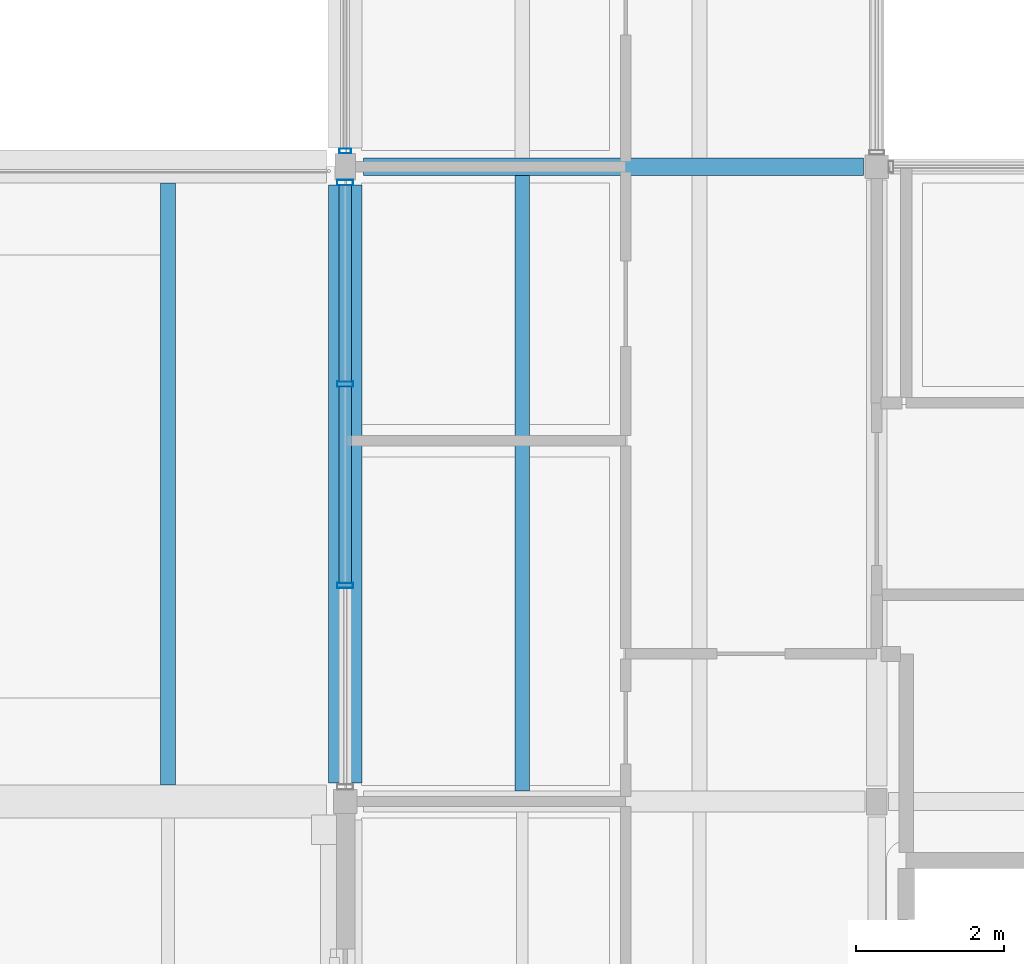
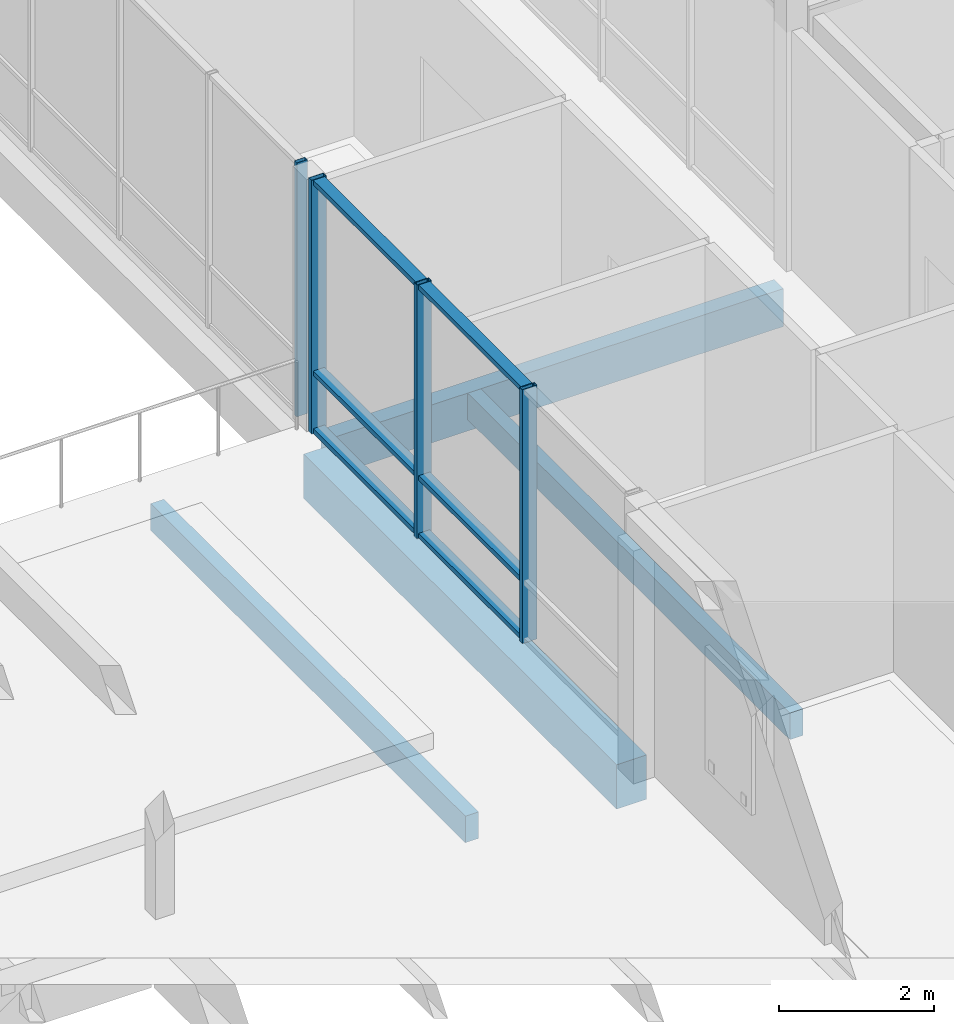
# One storey, part 50 of 115: 10 members, 4 beams, 2 elements without a shape of their own.
"""IFC4 building model written with IfcOpenShell, lengths in metres."""

from ifc_helpers import new_model, si_unit, direction, frame, origin, origin_2d, place, context, subcontext, project, spatial, rectangle, hollow_rectangle, extrude, material, material_profile, profile_set, type_object, element, aggregate, save


model = new_model("IFC4")

# Units and contexts
model_context = context("Model", 3, precision=1e-05, world=origin(), true_north=direction((0.0, 1.0)))
body_context = subcontext(model_context, "Body", "Model", "MODEL_VIEW")
ifc_project = project(units=[si_unit("LENGTHUNIT", "METRE"), si_unit("AREAUNIT", "SQUARE_METRE"), si_unit("VOLUMEUNIT", "CUBIC_METRE"), si_unit("PLANEANGLEUNIT", "RADIAN"), si_unit("MASSUNIT", "GRAM", prefix="KILO")], contexts=[model_context])

# Site, building, storey
site_placement = place(None, origin())
site = spatial("IfcSite", under=ifc_project, at=site_placement, CompositionType="ELEMENT")
building_placement = place(site_placement, origin())
building = spatial("IfcBuilding", under=site, at=building_placement, Name="Hawrajan Terrace Health Centre", CompositionType="ELEMENT")
storey_placement = place(building_placement, frame((0.0, 0.0, 9.0)))
storey = spatial("IfcBuildingStorey", under=building, at=storey_placement, Name="L02", CompositionType="ELEMENT", Elevation=9.0)

# Curtain wall, member
ifc_material_1 = material(Name="Anodized bronze aluminium and low-E solar glazing", Category="aluminium")
curtain_wall_type_1 = type_object("IfcCurtainWallType", Name="CW_Court_SeriesA3", PredefinedType="USERDEFINED", material=ifc_material_1)
curtain_wall_1_placement = place(storey_placement, origin())
curtain_wall_1 = element("IfcCurtainWall", 1, at=curtain_wall_1_placement, inside=storey, type_object=curtain_wall_type_1, Name="Curtain wall CW-L02-147", ObjectType="UNITISED CURTAIN WALL", PredefinedType="USERDEFINED")
ifc_material_2 = material(Name="Anodized bronze aluminium 6063-T6", Category="aluminium")
ifc_material_profile_1 = material_profile(ifc_material_2, hollow_rectangle(XDim=0.06494140625, YDim=0.159912109375, WallThickness=0.00390625, at=origin_2d()), Name="CW MUL 65x160")
ifc_profile_set_1 = profile_set([ifc_material_profile_1], Name="Anodized bronze aluminium 6063-T6")
member_type_1 = type_object("IfcMemberType", Name="CWMullion_65x160", PredefinedType="MULLION", material=ifc_profile_set_1)
member_1_placement = place(storey_placement, frame((143.800048828125, 27.41259765625, -0.0048828125), z_axis=(0.0, 0.0, 1.0), x_axis=(0.0, 1.0, 0.0)))
member_1 = element("IfcMember", 2, at=member_1_placement, type_object=member_type_1, Name="Mullion CW-L02-147-M1", PredefinedType="MULLION", context=body_context, shape_type="SweptSolid", body=[
    extrude(hollow_rectangle(XDim=0.06494140625, YDim=0.159912109375, WallThickness=0.00390625, at=origin_2d()), origin(), (0.0, 0.0, 1.0), 4.009765625),
])
aggregate(curtain_wall_1, [member_1])

# Curtain wall, members
curtain_wall_type_2 = type_object("IfcCurtainWallType", Name="CW_Court_SeriesA2", PredefinedType="USERDEFINED", material=ifc_material_1)
curtain_wall_2_placement = place(storey_placement, origin())
curtain_wall_2 = element("IfcCurtainWall", 3, at=curtain_wall_2_placement, inside=storey, type_object=curtain_wall_type_2, Name="Curtain wall CW-L02-146", ObjectType="UNITISED CURTAIN WALL", PredefinedType="USERDEFINED")
ifc_material_profile_2 = material_profile(ifc_material_2, hollow_rectangle(XDim=0.074951171875, YDim=0.219970703125, WallThickness=0.0048828125, at=origin_2d()), Name="CW MUL 75x220")
ifc_profile_set_2 = profile_set([ifc_material_profile_2], Name="Anodized bronze aluminium 6063-T6")
member_type_2 = type_object("IfcMemberType", Name="CWMullion_75x220", PredefinedType="MULLION", material=ifc_profile_set_2)
member_2_placement = place(storey_placement, frame((143.800048828125, 21.52587890625, -0.0048828125), z_axis=(0.0, 0.0, 1.0), x_axis=(0.0, 1.0, 0.0)))
member_2 = element("IfcMember", 4, at=member_2_placement, type_object=member_type_2, Name="Mullion CW-L02-146-M2", PredefinedType="MULLION", context=body_context, shape_type="SweptSolid", body=[
    extrude(hollow_rectangle(XDim=0.074951171875, YDim=0.219970703125, WallThickness=0.0048828125, at=origin_2d()), origin(), (0.0, 0.0, 1.0), 4.009765625),
])
member_3_placement = place(storey_placement, frame((143.800048828125, 24.254150390625, -0.0048828125), z_axis=(0.0, 0.0, 1.0), x_axis=(0.0, 1.0, 0.0)))
member_3 = element("IfcMember", 5, at=member_3_placement, type_object=member_type_2, Name="Mullion CW-L02-146-M3", PredefinedType="MULLION", context=body_context, shape_type="SweptSolid", body=[
    extrude(hollow_rectangle(XDim=0.074951171875, YDim=0.219970703125, WallThickness=0.0048828125, at=origin_2d()), origin(), (0.0, 0.0, 1.0), 4.009765625),
])
member_4_placement = place(storey_placement, frame((143.800048828125, 26.982421875, -0.0048828125), z_axis=(0.0, 0.0, 1.0), x_axis=(0.0, 1.0, 0.0)))
member_4 = element("IfcMember", 6, at=member_4_placement, type_object=member_type_2, Name="Mullion CW-L02-146-M4", PredefinedType="MULLION", context=body_context, shape_type="SweptSolid", body=[
    extrude(hollow_rectangle(XDim=0.074951171875, YDim=0.219970703125, WallThickness=0.0048828125, at=origin_2d()), origin(), (0.0, 0.0, 1.0), 4.009765625),
])
ifc_material_profile_3 = material_profile(ifc_material_2, hollow_rectangle(XDim=0.074951171875, YDim=0.169921875, WallThickness=0.00439453125, at=origin_2d()), Name="CW TRN 75x170")
ifc_profile_set_3 = profile_set([ifc_material_profile_3], Name="Anodized bronze aluminium 6063-T6")
member_type_3 = type_object("IfcMemberType", Name="CWTransom_75x170", PredefinedType="USERDEFINED", material=ifc_profile_set_3)
member_5_placement = place(storey_placement, frame((143.800048828125, 21.557373046875, 0.03759765625), z_axis=(0.0, 1.0, 0.0), x_axis=(0.0, 0.0, 1.0)))
member_5 = element("IfcMember", 7, at=member_5_placement, type_object=member_type_3, Name="Transom CW-L02-146-T2-1", ObjectType="TRANSOM", PredefinedType="USERDEFINED", context=body_context, shape_type="SweptSolid", body=[
    extrude(hollow_rectangle(XDim=0.074951171875, YDim=0.169921875, WallThickness=0.00439453125, at=origin_2d()), origin(), (0.0, 0.0, 1.0), 2.665283203125),
])
member_6_placement = place(storey_placement, frame((143.800048828125, 21.557373046875, 0.949951171875), z_axis=(0.0, 1.0, 0.0), x_axis=(0.0, 0.0, 1.0)))
member_6 = element("IfcMember", 8, at=member_6_placement, type_object=member_type_3, Name="Transom CW-L02-146-T2-2", ObjectType="TRANSOM", PredefinedType="USERDEFINED", context=body_context, shape_type="SweptSolid", body=[
    extrude(hollow_rectangle(XDim=0.074951171875, YDim=0.169921875, WallThickness=0.00439453125, at=origin_2d()), origin(), (0.0, 0.0, 1.0), 2.665283203125),
])
member_7_placement = place(storey_placement, frame((143.800048828125, 21.557373046875, 3.96240234375), z_axis=(0.0, 1.0, 0.0), x_axis=(0.0, 0.0, 1.0)))
member_7 = element("IfcMember", 9, at=member_7_placement, type_object=member_type_3, Name="Transom CW-L02-146-T2-3", ObjectType="TRANSOM", PredefinedType="USERDEFINED", context=body_context, shape_type="SweptSolid", body=[
    extrude(hollow_rectangle(XDim=0.074951171875, YDim=0.169921875, WallThickness=0.00439453125, at=origin_2d()), origin(), (0.0, 0.0, 1.0), 2.665283203125),
])
member_8_placement = place(storey_placement, frame((143.800048828125, 24.28564453125, 0.03759765625), z_axis=(0.0, 1.0, 0.0), x_axis=(0.0, 0.0, 1.0)))
member_8 = element("IfcMember", 10, at=member_8_placement, type_object=member_type_3, Name="Transom CW-L02-146-T3-1", ObjectType="TRANSOM", PredefinedType="USERDEFINED", context=body_context, shape_type="SweptSolid", body=[
    extrude(hollow_rectangle(XDim=0.074951171875, YDim=0.169921875, WallThickness=0.00439453125, at=origin_2d()), origin(), (0.0, 0.0, 1.0), 2.665283203125),
])
member_9_placement = place(storey_placement, frame((143.800048828125, 24.28564453125, 0.949951171875), z_axis=(0.0, 1.0, 0.0), x_axis=(0.0, 0.0, 1.0)))
member_9 = element("IfcMember", 11, at=member_9_placement, type_object=member_type_3, Name="Transom CW-L02-146-T3-2", ObjectType="TRANSOM", PredefinedType="USERDEFINED", context=body_context, shape_type="SweptSolid", body=[
    extrude(hollow_rectangle(XDim=0.074951171875, YDim=0.169921875, WallThickness=0.00439453125, at=origin_2d()), origin(), (0.0, 0.0, 1.0), 2.665283203125),
])
member_10_placement = place(storey_placement, frame((143.800048828125, 24.28564453125, 3.96240234375), z_axis=(0.0, 1.0, 0.0), x_axis=(0.0, 0.0, 1.0)))
member_10 = element("IfcMember", 12, at=member_10_placement, type_object=member_type_3, Name="Transom CW-L02-146-T3-3", ObjectType="TRANSOM", PredefinedType="USERDEFINED", context=body_context, shape_type="SweptSolid", body=[
    extrude(hollow_rectangle(XDim=0.074951171875, YDim=0.169921875, WallThickness=0.00439453125, at=origin_2d()), origin(), (0.0, 0.0, 1.0), 2.665283203125),
])
aggregate(curtain_wall_2, [member_2, member_3, member_4, member_5, member_6, member_7, member_8, member_9, member_10])

# Beams
ifc_material_3 = material(Name="Glulam GL32h", Category="wood")
ifc_material_profile_4 = material_profile(ifc_material_3, rectangle(XDim=0.239990234375, YDim=0.60009765625, at=origin_2d()), Name="GL BM 240x600")
ifc_profile_set_4 = profile_set([ifc_material_profile_4], Name="Glulam GL32h")
beam_type_1 = type_object("IfcBeamType", Name="GlulamGirder_240x600", PredefinedType="BEAM", material=ifc_profile_set_4)
beam_1_placement = place(storey_placement, frame((144.050048828125, 27.199951171875, -0.580078125), z_axis=(1.0, 0.0, 0.0), x_axis=(0.0, 1.0, 0.0)))
element("IfcBeam", 13, at=beam_1_placement, inside=storey, type_object=beam_type_1, Name="Beam BM-X-L02-E-19-Y4", PredefinedType="BEAM", context=body_context, shape_type="SweptSolid", body=[
    extrude(rectangle(XDim=0.239990234375, YDim=0.60009765625, at=origin_2d()), origin(), (0.0, 0.0, 1.0), 6.77001953125),
])
ifc_material_4 = material(Name="Glulam GL28h", Category="wood")
ifc_material_profile_5 = material_profile(ifc_material_4, rectangle(XDim=0.199951171875, YDim=0.419921875, at=origin_2d()), Name="GL JST 200x420")
ifc_profile_set_5 = profile_set([ifc_material_profile_5], Name="Glulam GL28h")
beam_type_2 = type_object("IfcBeamType", Name="GlulamJoist_200x420", PredefinedType="JOIST", material=ifc_profile_set_5)
beam_2_placement = place(storey_placement, frame((141.39990234375, 18.824951171875, -0.489990234375), z_axis=(0.0, 1.0, 0.0), x_axis=(-1.0, 0.0, 0.0)))
element("IfcBeam", 14, at=beam_2_placement, inside=storey, type_object=beam_type_2, Name="Secondary joist JST-L02-E-18-3-2", PredefinedType="JOIST", context=body_context, shape_type="SweptSolid", body=[
    extrude(rectangle(XDim=0.199951171875, YDim=0.419921875, at=origin_2d()), origin(), (0.0, 0.0, 1.0), 8.150146484375),
])
beam_3_placement = place(storey_placement, frame((146.199951171875, 18.739990234375, -0.489990234375), z_axis=(0.0, 1.0, 0.0), x_axis=(-1.0, 0.0, 0.0)))
element("IfcBeam", 15, at=beam_3_placement, inside=storey, type_object=beam_type_2, Name="Secondary joist JST-L02-E-19-3-1", PredefinedType="JOIST", context=body_context, shape_type="SweptSolid", body=[
    extrude(rectangle(XDim=0.199951171875, YDim=0.419921875, at=origin_2d()), origin(), (0.0, 0.0, 1.0), 8.340087890625),
])
ifc_material_5 = material(Name="Concrete C40/50", Category="concrete")
ifc_material_profile_6 = material_profile(ifc_material_5, rectangle(XDim=0.449951171875, YDim=0.699951171875, at=origin_2d()), Name="RC BM 450x700")
ifc_profile_set_6 = profile_set([ifc_material_profile_6], Name="Concrete C40/50")
beam_type_3 = type_object("IfcBeamType", Name="RCGirder_450x700", PredefinedType="BEAM", material=ifc_profile_set_6)
beam_4_placement = place(storey_placement, frame((143.800048828125, 18.85009765625, -0.6298828125), z_axis=(0.0, 1.0, 0.0), x_axis=(-1.0, 0.0, 0.0)))
element("IfcBeam", 16, at=beam_4_placement, inside=storey, type_object=beam_type_3, Name="Beam BM-Y-L02-E-X19-3", PredefinedType="BEAM", context=body_context, shape_type="SweptSolid", body=[
    extrude(rectangle(XDim=0.449951171875, YDim=0.699951171875, at=origin_2d()), origin(), (0.0, 0.0, 1.0), 8.099853515625),
])

save(model, "model.ifc")
